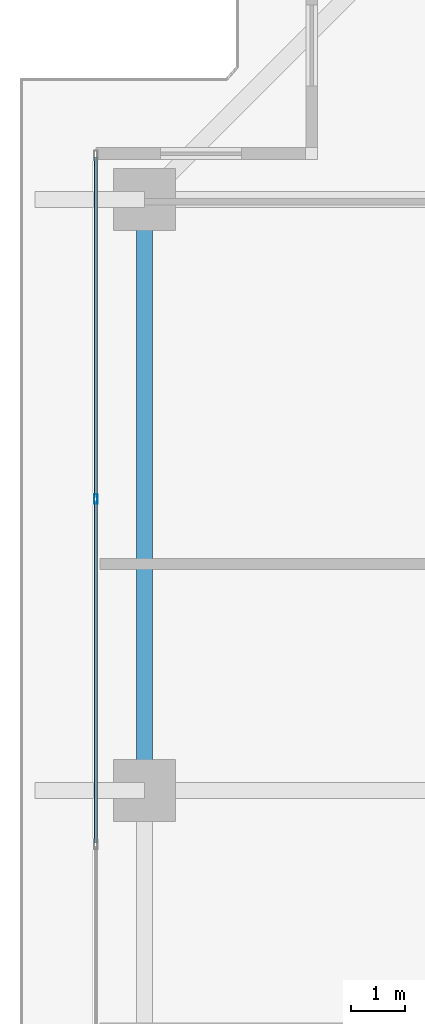
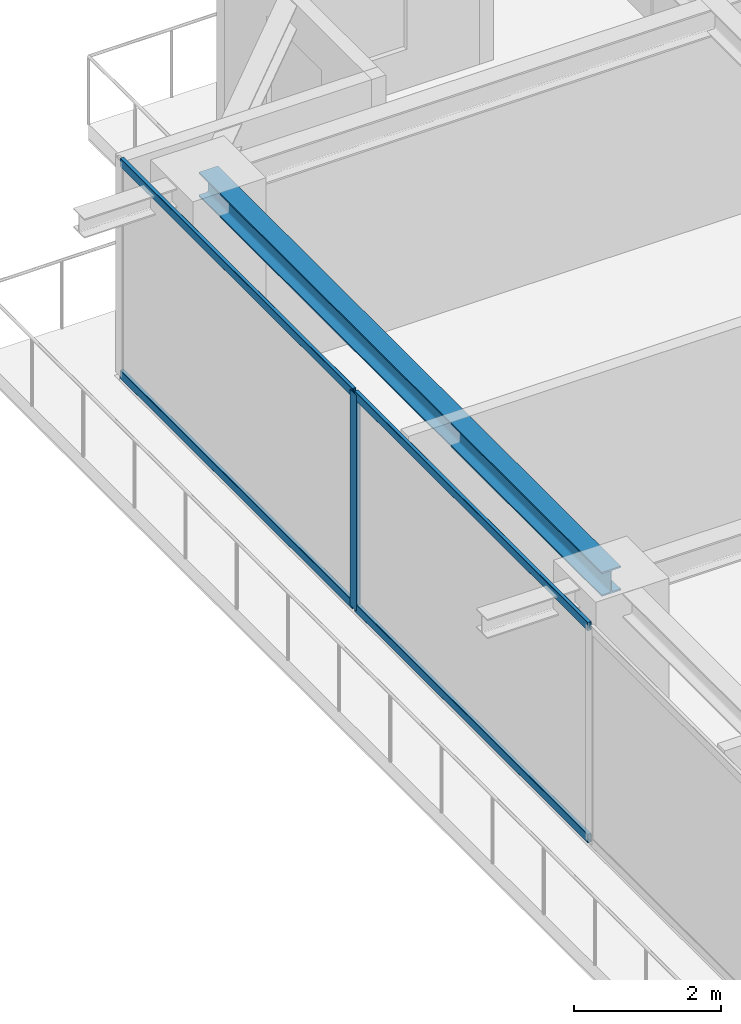
# One storey, part 16 of 37: 5 members, 1 beam, 1 element without a shape of its own.
"""IFC4 building model written with IfcOpenShell, lengths in metres."""

from ifc_helpers import new_model, si_unit, direction, frame, origin, origin_2d, place, context, subcontext, project, spatial, hollow_rectangle, i_section, extrude, source, transform, mapped, material, layer, layer_set, material_profile, profile_set, type_object, element, aggregate, save


model = new_model("IFC4")

# Units and contexts
model_context = context("Model", 3, precision=1e-05, world=origin(), true_north=direction((0.0, 1.0)))
body_context = subcontext(model_context, "Body", "Model", "MODEL_VIEW")
ifc_project = project(units=[si_unit("LENGTHUNIT", "METRE"), si_unit("AREAUNIT", "SQUARE_METRE"), si_unit("VOLUMEUNIT", "CUBIC_METRE"), si_unit("PLANEANGLEUNIT", "RADIAN"), si_unit("MASSUNIT", "GRAM", prefix="KILO")], contexts=[model_context])

# Site, building, storey
site_placement = place(None, origin())
site = spatial("IfcSite", under=ifc_project, at=site_placement, CompositionType="ELEMENT")
building_placement = place(site_placement, origin())
building = spatial("IfcBuilding", under=site, at=building_placement, Name="Serunith Strait Residences", CompositionType="ELEMENT")
storey_placement = place(building_placement, frame((0.0, 0.0, 275.89990234375)))
storey = spatial("IfcBuildingStorey", under=building, at=storey_placement, Name="L69", CompositionType="ELEMENT", Elevation=275.89990234375)

# Beam
ifc_material_1 = material(Name="Steel S355J2", Category="steel")
ifc_material_profile_1 = material_profile(ifc_material_1, i_section(OverallWidth=0.300048828125, OverallDepth=0.39990234375, WebThickness=0.013427734375, FlangeThickness=0.02392578125, FilletRadius=0.027099609375, at=origin_2d()), Name="HEB 400")
ifc_profile_set_1 = profile_set([ifc_material_profile_1], Name="Steel S355J2")
beam_type = type_object("IfcBeamType", Name="BM-HEB400", PredefinedType="BEAM", material=ifc_profile_set_1)
shared_shape_1 = source(origin(), body_context, "Body", "SweptSolid", [
    extrude(i_section(OverallWidth=0.300048828125, OverallDepth=0.39990234375, WebThickness=0.013427734375, FlangeThickness=0.02392578125, FilletRadius=0.027099609375, at=origin_2d()), origin(), (0.0, 0.0, 1.0), 10.9501953125),
])
beam_placement = place(storey_placement, frame((8.300048828125, 40.35009765625, 3.38720703125), z_axis=(0.0, -1.0, 0.0), x_axis=(1.0, 0.0, 0.0)))
element("IfcBeam", 1, at=beam_placement, inside=storey, type_object=beam_type, Name="L69 Perimeter Ring Beam 13", PredefinedType="BEAM", context=body_context, shape_type="MappedRepresentation", body=[
    mapped(shared_shape_1, transform((0.0, 0.0, 0.0), scale=1.0)),
])

# Curtain wall, members
ifc_material_2 = material(Name="Pale-Champagne Anodised Aluminium", Category="aluminium")
ifc_layer = layer(ifc_material_2, 0.199951171875, Name="Pale-Champagne Anodised Aluminium")
ifc_layer_set = layer_set([ifc_layer], Name="Pale-Champagne Anodised Aluminium")
curtain_wall_type = type_object("IfcCurtainWallType", Name="CW-SYS4", PredefinedType="NOTDEFINED", material=ifc_layer_set)
curtain_wall_placement = place(storey_placement, origin())
curtain_wall = element("IfcCurtainWall", 2, at=curtain_wall_placement, inside=storey, type_object=curtain_wall_type, Name="L69 W Unitised Fritted Curtain Wall", PredefinedType="NOTDEFINED")
ifc_material_profile_2 = material_profile(ifc_material_2, hollow_rectangle(XDim=0.06005859375, YDim=0.139892578125, WallThickness=0.00341796875, InnerFilletRadius=0.00537109375, OuterFilletRadius=0.0087890625, at=origin_2d()), Name="ALU 140x60x3.5")
ifc_profile_set_2 = profile_set([ifc_material_profile_2], Name="Pale-Champagne Anodised Aluminium")
member_type_1 = type_object("IfcMemberType", Name="CW-SYS4-TRAN", PredefinedType="USERDEFINED", material=ifc_profile_set_2)
shared_shape_2 = source(origin(), body_context, "Body", "SweptSolid", [
    extrude(hollow_rectangle(XDim=0.06005859375, YDim=0.139892578125, WallThickness=0.00341796875, InnerFilletRadius=0.00537109375, OuterFilletRadius=0.0087890625, at=origin_2d()), origin(), (0.0, 0.0, 1.0), 6.302490234375),
])
member_1_placement = place(storey_placement, frame((7.39990234375, 41.135009765625, 0.030029296875), z_axis=(0.0, -1.0, 0.0), x_axis=(1.0, 0.0, 0.0)))
member_1 = element("IfcMember", 3, at=member_1_placement, type_object=member_type_1, Name="CW-4 transom 1.1", ObjectType="TRANSOM", PredefinedType="USERDEFINED", context=body_context, shape_type="MappedRepresentation", body=[
    mapped(shared_shape_2, transform((0.0, 0.0, 0.0), scale=1.0)),
])
member_2_placement = place(storey_placement, frame((7.39990234375, 41.135009765625, 3.545166015625), z_axis=(0.0, -1.0, 0.0), x_axis=(1.0, 0.0, 0.0)))
member_2 = element("IfcMember", 4, at=member_2_placement, type_object=member_type_1, Name="CW-4 transom 1.2", ObjectType="TRANSOM", PredefinedType="USERDEFINED", context=body_context, shape_type="MappedRepresentation", body=[
    mapped(shared_shape_2, transform((0.0, 0.0, 0.0), scale=1.0)),
])
shared_shape_3 = source(origin(), body_context, "Body", "SweptSolid", [
    extrude(hollow_rectangle(XDim=0.06005859375, YDim=0.139892578125, WallThickness=0.00341796875, InnerFilletRadius=0.00537109375, OuterFilletRadius=0.0087890625, at=origin_2d()), origin(), (0.0, 0.0, 1.0), 6.3349609375),
])
member_3_placement = place(storey_placement, frame((7.39990234375, 34.767578125, 0.030029296875), z_axis=(0.0, -1.0, 0.0), x_axis=(1.0, 0.0, 0.0)))
member_3 = element("IfcMember", 5, at=member_3_placement, type_object=member_type_1, Name="CW-4 transom 2.1", ObjectType="TRANSOM", PredefinedType="USERDEFINED", context=body_context, shape_type="MappedRepresentation", body=[
    mapped(shared_shape_3, transform((0.0, 0.0, 0.0), scale=1.0)),
])
member_4_placement = place(storey_placement, frame((7.39990234375, 34.767578125, 3.545166015625), z_axis=(0.0, -1.0, 0.0), x_axis=(1.0, 0.0, 0.0)))
member_4 = element("IfcMember", 6, at=member_4_placement, type_object=member_type_1, Name="CW-4 transom 2.2", ObjectType="TRANSOM", PredefinedType="USERDEFINED", context=body_context, shape_type="MappedRepresentation", body=[
    mapped(shared_shape_3, transform((0.0, 0.0, 0.0), scale=1.0)),
])
ifc_material_profile_3 = material_profile(ifc_material_2, hollow_rectangle(XDim=0.06494140625, YDim=0.179931640625, WallThickness=0.00341796875, InnerFilletRadius=0.00537109375, OuterFilletRadius=0.0087890625, at=origin_2d()), Name="ALU 180x65x3.5")
ifc_profile_set_3 = profile_set([ifc_material_profile_3], Name="Pale-Champagne Anodised Aluminium")
member_type_2 = type_object("IfcMemberType", Name="CW-SYS4-MULL", PredefinedType="MULLION", material=ifc_profile_set_3)
shared_shape_4 = source(origin(), body_context, "Body", "SweptSolid", [
    extrude(hollow_rectangle(XDim=0.06494140625, YDim=0.179931640625, WallThickness=0.00341796875, InnerFilletRadius=0.00537109375, OuterFilletRadius=0.0087890625, at=origin_2d()), origin(), (0.0, 0.0, 1.0), 3.5751953125),
])
member_5_placement = place(storey_placement, frame((7.39990234375, 34.800048828125, 0.0), z_axis=(0.0, 0.0, 1.0), x_axis=(1.0, 0.0, 0.0)))
member_5 = element("IfcMember", 7, at=member_5_placement, type_object=member_type_2, Name="CW-4 mullion 2", PredefinedType="MULLION", context=body_context, shape_type="MappedRepresentation", body=[
    mapped(shared_shape_4, transform((0.0, 0.0, 0.0), scale=1.0)),
])
aggregate(curtain_wall, [member_5, member_1, member_2, member_3, member_4])

save(model, "model.ifc")
